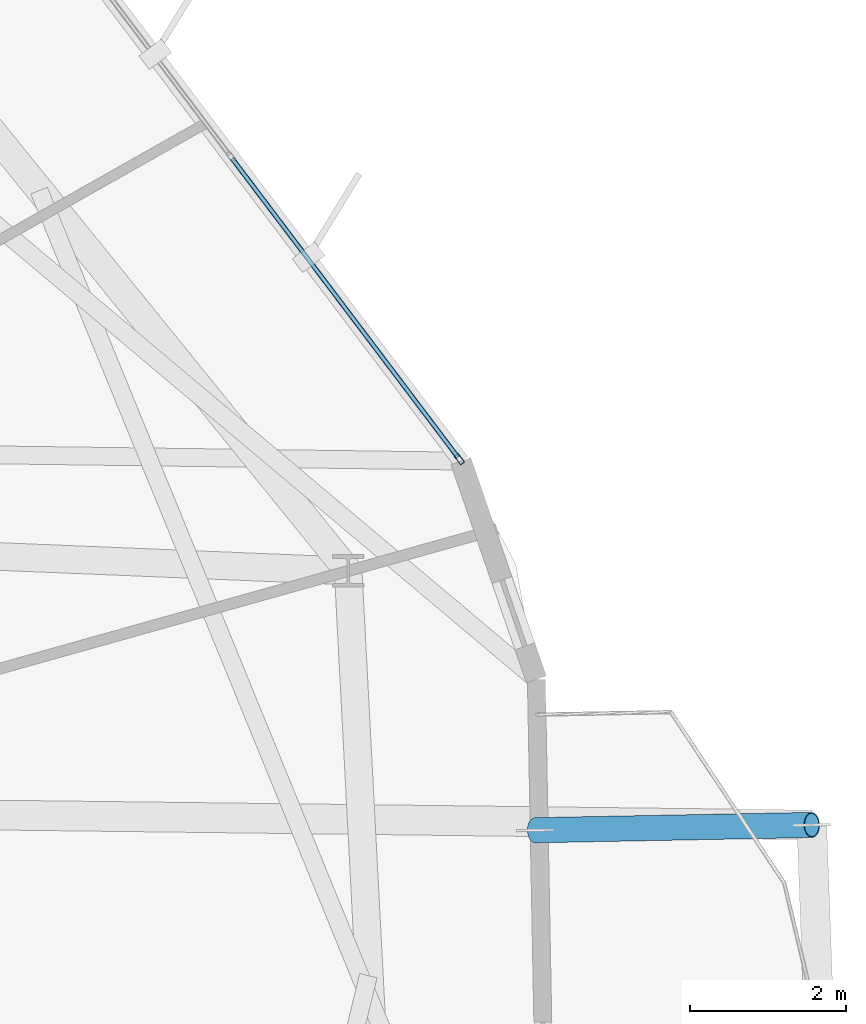
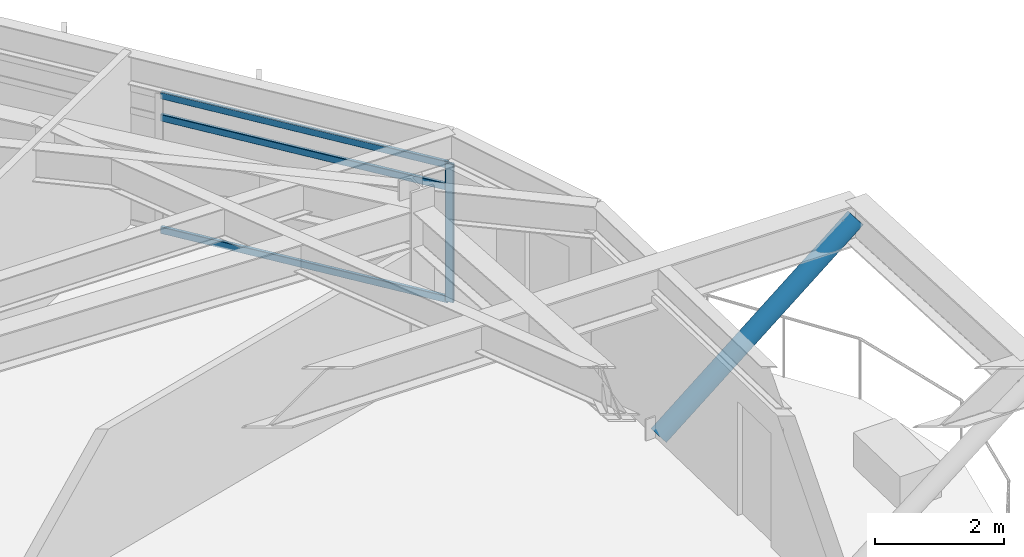
# One storey, part 18 of 34: 5 members, 1 element without a shape of its own.
"""IFC4 building model written with IfcOpenShell, lengths in metres."""

from ifc_helpers import new_model, si_unit, direction, frame, origin, origin_2d, place, context, subcontext, project, spatial, hollow_rectangle, hollow_circle, extrude, material, layer, layer_set, material_profile, profile_set, type_object, element, aggregate, save


model = new_model("IFC4")

# Units and contexts
model_context = context("Model", 3, precision=1e-05, world=origin(), true_north=direction((0.0, 1.0)))
body_context = subcontext(model_context, "Body", "Model", "MODEL_VIEW")
ifc_project = project(units=[si_unit("LENGTHUNIT", "METRE"), si_unit("AREAUNIT", "SQUARE_METRE"), si_unit("VOLUMEUNIT", "CUBIC_METRE"), si_unit("PLANEANGLEUNIT", "RADIAN"), si_unit("MASSUNIT", "GRAM", prefix="KILO")], contexts=[model_context])

# Site, building, storey
site_placement = place(None, origin())
site = spatial("IfcSite", under=ifc_project, at=site_placement, CompositionType="ELEMENT")
building_placement = place(site_placement, origin())
building = spatial("IfcBuilding", under=site, at=building_placement, Name="Soratama Intermodal Tower", CompositionType="ELEMENT")
storey_placement = place(building_placement, frame((0.0, 0.0, 233.800048828125)))
storey = spatial("IfcBuildingStorey", under=building, at=storey_placement, Name="L59", CompositionType="ELEMENT", Elevation=233.800048828125)

# Member
ifc_material_1 = material(Name="Structural steel ASTM A500 Grade C", Category="steel")
ifc_material_profile_1 = material_profile(ifc_material_1, hollow_circle(Radius=0.161865234375, WallThickness=0.013916015625, at=origin_2d()), Name="CHS324X14")
ifc_profile_set_1 = profile_set([ifc_material_profile_1], Name="Structural steel ASTM A500 Grade C")
member_type_1 = type_object("IfcMemberType", Name="MB-POOL-CHS324", PredefinedType="BRACE", material=ifc_profile_set_1)
member_1_placement = place(storey_placement, frame((64.767578125, 28.336181640625, 0.010009765625), z_axis=(0.782914404252, 0.01496597706, 0.621949399184), x_axis=(-0.019112234188, 0.999817344571, 0.0)))
element("IfcMember", 1, at=member_1_placement, inside=storey, type_object=member_type_1, Name="L59 Sky Pool Strut 2", PredefinedType="BRACE", context=body_context, shape_type="SweptSolid", body=[
    extrude(hollow_circle(Radius=0.161865234375, WallThickness=0.013916015625, at=origin_2d()), origin(), (0.0, 0.0, 1.0), 4.534912109375),
])

# Curtain wall, members
ifc_material_2 = material(Name="Double-glazed aluminium curtain wall", Category="aluminium")
ifc_layer = layer(ifc_material_2, 0.159912109375)
ifc_layer_set = layer_set([ifc_layer], Name="Double-glazed aluminium curtain wall")
curtain_wall_type = type_object("IfcCurtainWallType", Name="CW-SYS-5", PredefinedType="NOTDEFINED", material=ifc_layer_set)
curtain_wall_placement = place(storey_placement, origin())
curtain_wall = element("IfcCurtainWall", 2, at=curtain_wall_placement, inside=storey, type_object=curtain_wall_type, Name="L59 Faceted Curtain Wall F10", PredefinedType="NOTDEFINED")
ifc_material_3 = material(Name="Anodised aluminium AA 6063-T6", Category="aluminium")
ifc_material_profile_2 = material_profile(ifc_material_3, hollow_rectangle(XDim=0.06494140625, YDim=0.139892578125, WallThickness=0.0048828125, InnerFilletRadius=0.0048828125, OuterFilletRadius=0.010009765625, at=origin_2d()), Name="CWM140X65X5")
ifc_profile_set_2 = profile_set([ifc_material_profile_2], Name="Anodised aluminium AA 6063-T6")
member_type_2 = type_object("IfcMemberType", Name="MT-CWM-5", PredefinedType="MULLION", material=ifc_profile_set_2)
member_2_placement = place(storey_placement, frame((63.79345703125, 33.10009765625, 0.0), z_axis=(0.0, 0.0, 1.0), x_axis=(-0.797793680769, -0.602930545689, 0.0)))
member_2 = element("IfcMember", 3, at=member_2_placement, type_object=member_type_2, Name="CW-5 mullion 1", PredefinedType="MULLION", context=body_context, shape_type="SweptSolid", body=[
    extrude(hollow_rectangle(XDim=0.06494140625, YDim=0.139892578125, WallThickness=0.0048828125, InnerFilletRadius=0.0048828125, OuterFilletRadius=0.010009765625, at=origin_2d()), origin(), (0.0, 0.0, 1.0), 2.598876953125),
])
ifc_material_4 = material(Name="Anodised aluminium AA 6063-T6", Category="aluminium")
ifc_material_profile_3 = material_profile(ifc_material_4, hollow_rectangle(XDim=0.06005859375, YDim=0.1298828125, WallThickness=0.0048828125, InnerFilletRadius=0.0048828125, OuterFilletRadius=0.010009765625, at=origin_2d()), Name="CWT130X60X5")
ifc_profile_set_3 = profile_set([ifc_material_profile_3], Name="Anodised aluminium AA 6063-T6")
member_type_3 = type_object("IfcMemberType", Name="TT-CWT-2", PredefinedType="USERDEFINED", material=ifc_profile_set_3)
member_3_placement = place(storey_placement, frame((63.775390625, 33.1240234375, 0.030029296875), z_axis=(-0.602936506073, 0.797789176189, 0.0), x_axis=(-0.797789176189, -0.602936506073, 0.0)))
member_3 = element("IfcMember", 4, at=member_3_placement, type_object=member_type_3, Name="CW-5 transom 1.1", ObjectType="TRANSOM", PredefinedType="USERDEFINED", context=body_context, shape_type="SweptSolid", body=[
    extrude(hollow_rectangle(XDim=0.06005859375, YDim=0.1298828125, WallThickness=0.0048828125, InnerFilletRadius=0.0048828125, OuterFilletRadius=0.010009765625, at=origin_2d()), origin(), (0.0, 0.0, 1.0), 4.808837890625),
])
member_4_placement = place(storey_placement, frame((63.775390625, 33.1240234375, 2.14990234375), z_axis=(-0.602936506073, 0.797789176189, 0.0), x_axis=(-0.797789176189, -0.602936506073, 0.0)))
member_4 = element("IfcMember", 5, at=member_4_placement, type_object=member_type_3, Name="CW-5 transom 1.2", ObjectType="TRANSOM", PredefinedType="USERDEFINED", context=body_context, shape_type="SweptSolid", body=[
    extrude(hollow_rectangle(XDim=0.06005859375, YDim=0.1298828125, WallThickness=0.0048828125, InnerFilletRadius=0.0048828125, OuterFilletRadius=0.010009765625, at=origin_2d()), origin(), (0.0, 0.0, 1.0), 4.808837890625),
])
member_5_placement = place(storey_placement, frame((63.775390625, 33.1240234375, 2.56884765625), z_axis=(-0.602936506073, 0.797789176189, 0.0), x_axis=(-0.797789176189, -0.602936506073, 0.0)))
member_5 = element("IfcMember", 6, at=member_5_placement, type_object=member_type_3, Name="CW-5 transom 1.3", ObjectType="TRANSOM", PredefinedType="USERDEFINED", context=body_context, shape_type="SweptSolid", body=[
    extrude(hollow_rectangle(XDim=0.06005859375, YDim=0.1298828125, WallThickness=0.0048828125, InnerFilletRadius=0.0048828125, OuterFilletRadius=0.010009765625, at=origin_2d()), origin(), (0.0, 0.0, 1.0), 4.808837890625),
])
aggregate(curtain_wall, [member_2, member_3, member_4, member_5])

save(model, "model.ifc")
